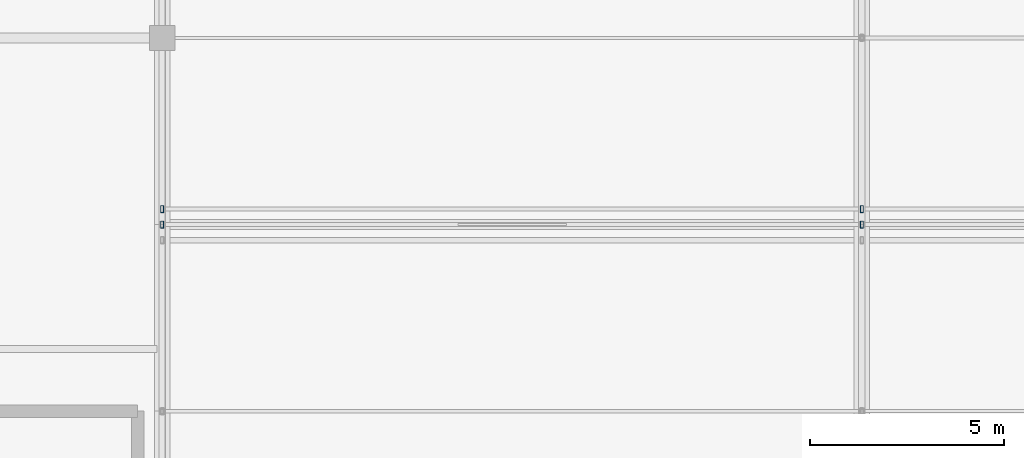
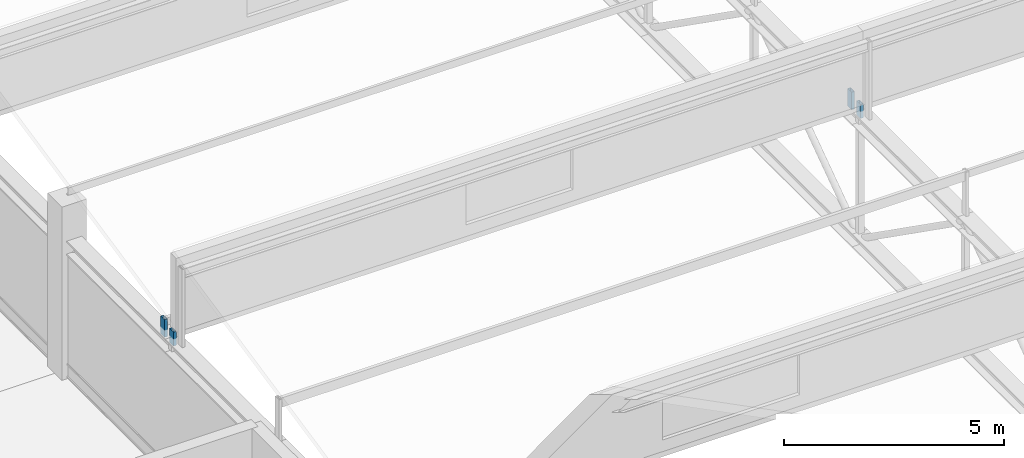
# One storey, part 78 of 136: 4 members.
"""IFC4 building model written with IfcOpenShell, lengths in metres."""

from ifc_helpers import new_model, si_unit, direction, frame, origin, origin_2d, place, context, subcontext, project, spatial, hollow_rectangle, extrude, material, material_profile, profile_set, type_object, element, save


model = new_model("IFC4")

# Units and contexts
model_context = context("Model", 3, precision=1e-05, world=origin(), true_north=direction((0.0, 1.0)))
body_context = subcontext(model_context, "Body", "Model", "MODEL_VIEW")
ifc_project = project(units=[si_unit("LENGTHUNIT", "METRE"), si_unit("AREAUNIT", "SQUARE_METRE"), si_unit("VOLUMEUNIT", "CUBIC_METRE"), si_unit("PLANEANGLEUNIT", "RADIAN"), si_unit("MASSUNIT", "GRAM", prefix="KILO")], contexts=[model_context])

# Site, building, storey
site_placement = place(None, origin())
site = spatial("IfcSite", under=ifc_project, at=site_placement, CompositionType="ELEMENT")
building_placement = place(site_placement, origin())
building = spatial("IfcBuilding", under=site, at=building_placement, Name="Kisiwana Market Hall", CompositionType="ELEMENT")
storey_placement = place(building_placement, frame((0.0, 0.0, 16.800048828125)))
storey = spatial("IfcBuildingStorey", under=building, at=storey_placement, Name="L03", CompositionType="ELEMENT", Elevation=16.800048828125)

# Members
ifc_material = material(Name="Steel S355", Category="steel")
ifc_material_profile = material_profile(ifc_material, hollow_rectangle(XDim=0.080078125, YDim=0.179931640625, WallThickness=0.00634765625, at=origin_2d()), Name="RHS 180x80x6.3")
ifc_profile_set = profile_set([ifc_material_profile], Name="Steel S355")
member_type = type_object("IfcMemberType", Name="MB-CAN-STRUT", PredefinedType="STRUT", material=ifc_profile_set)
for number, where, z_axis, x_axis, name in (
    (1, (45.0, 55.199951171875, 3.619873046875), (0.0, 0.0, 1.0), (1.0, 0.0, 0.0), "Sawtooth raker post 200 M-0250"),
    (2, (63.0, 55.199951171875, 3.619873046875), (0.0, 0.0, 1.0), (1.0, 0.0, 0.0), "Sawtooth raker post 203 M-0253"),
):
    element("IfcMember", number, at=place(storey_placement, frame(where, z_axis=z_axis, x_axis=x_axis)), inside=storey, type_object=member_type, Name=name, PredefinedType="STRUT", context=body_context, shape_type="SweptSolid", body=[
        extrude(hollow_rectangle(XDim=0.080078125, YDim=0.179931640625, WallThickness=0.00634765625, at=origin_2d()), origin(), (0.0, 0.0, 1.0), 0.385009765625),
    ])
for number, where, z_axis, x_axis, name in (
    (3, (45.0, 55.60009765625, 3.619873046875), (0.0, 0.0, 1.0), (1.0, 0.0, 0.0), "Sawtooth raker post 243 M-0272"),
    (4, (63.0, 55.60009765625, 3.619873046875), (0.0, 0.0, 1.0), (1.0, 0.0, 0.0), "Sawtooth raker post 246 M-0275"),
):
    element("IfcMember", number, at=place(storey_placement, frame(where, z_axis=z_axis, x_axis=x_axis)), inside=storey, type_object=member_type, Name=name, PredefinedType="STRUT", context=body_context, shape_type="SweptSolid", body=[
        extrude(hollow_rectangle(XDim=0.080078125, YDim=0.179931640625, WallThickness=0.00634765625, at=origin_2d()), origin(), (0.0, 0.0, 1.0), 0.485107421875),
    ])

save(model, "model.ifc")
